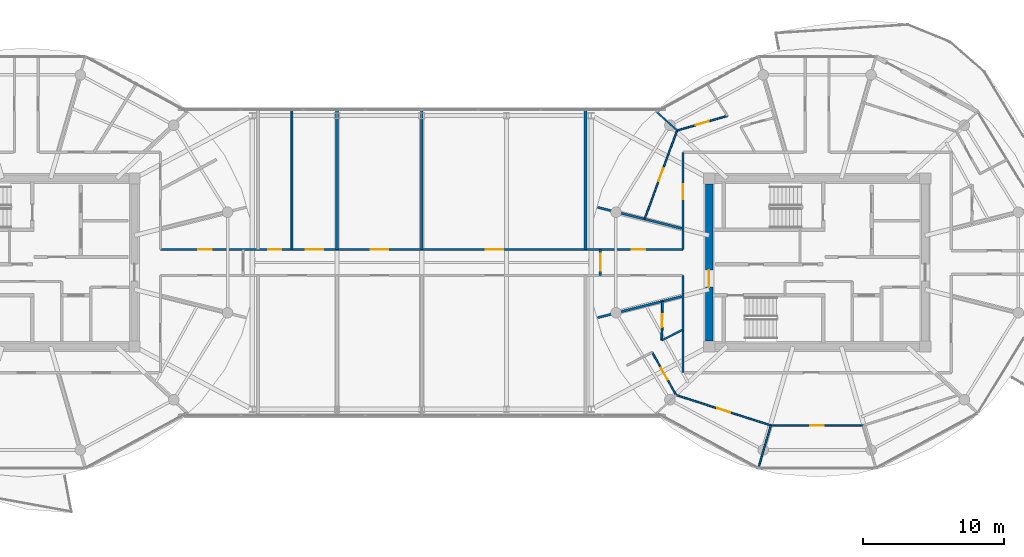
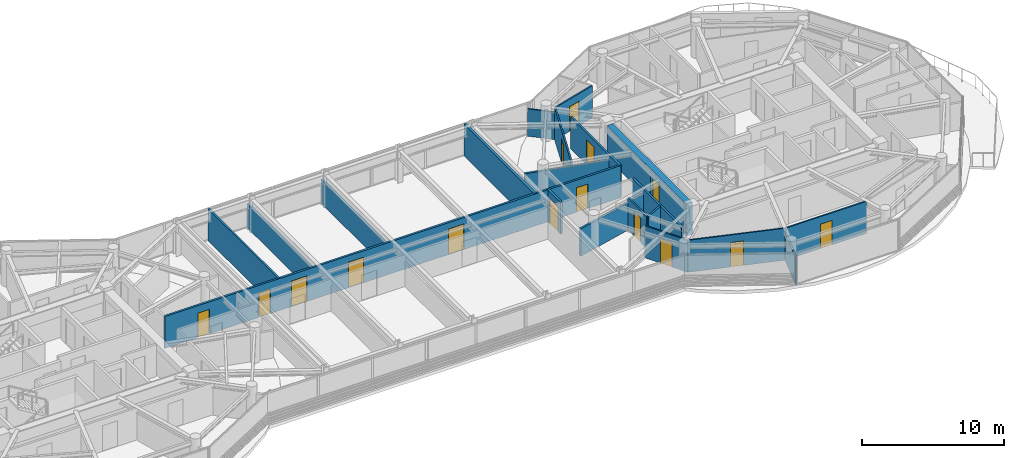
# One storey, part 16 of 23: 20 walls, 15 doors, 15 openings.
"""IFC4 building model written with IfcOpenShell, lengths in metres."""

from ifc_helpers import new_model, si_unit, direction, frame, frame_2d, origin, place, context, subcontext, project, spatial, rectangle, extrude, source, transform, mapped, material, layer, layer_set, type_object, type_shapes, element, fill, save


model = new_model("IFC4")

# Units and contexts
model_context = context("Model", 3, precision=1e-05, world=origin(), true_north=direction((0.0, 1.0)))
body_context = subcontext(model_context, "Body", "Model", "MODEL_VIEW")
ifc_project = project(units=[si_unit("LENGTHUNIT", "METRE"), si_unit("AREAUNIT", "SQUARE_METRE"), si_unit("VOLUMEUNIT", "CUBIC_METRE"), si_unit("PLANEANGLEUNIT", "RADIAN"), si_unit("MASSUNIT", "GRAM", prefix="KILO")], contexts=[model_context])

# Site, building, storey
site_placement = place(None, origin())
site = spatial("IfcSite", under=ifc_project, at=site_placement, CompositionType="ELEMENT")
building_placement = place(site_placement, origin())
building = spatial("IfcBuilding", under=site, at=building_placement, Name="Norrkilde Senior Care Towers", CompositionType="ELEMENT")
storey_placement = place(building_placement, frame((0.0, 0.0, 216.949951171875)))
storey = spatial("IfcBuildingStorey", under=building, at=storey_placement, Name="L67", CompositionType="ELEMENT", Elevation=216.949951171875)

# Wall, opening, door
ifc_material_1 = material(Name="Concrete C50/60", Category="concrete")
ifc_layer_1 = layer(ifc_material_1, 0.52001953125)
ifc_layer_set_1 = layer_set([ifc_layer_1], Name="Concrete C50/60")
wall_type_1 = type_object("IfcWallType", Name="Core Shear Wall Z4 520", PredefinedType="SHEAR", material=ifc_layer_set_1)
shared_shape_1 = source(origin(), body_context, "Body", "SweptSolid", [
    extrude(rectangle(XDim=11.10009765625, YDim=0.52001953125, at=frame_2d((5.550048828125, 0.0))), origin(), (0.0, 0.0, 1.0), 2.760009765625),
])
type_shapes(wall_type_1, [shared_shape_1])
wall_1_placement = place(storey_placement, frame((20.35009765625, -5.550048828125, 0.0), z_axis=(0.0, 0.0, 1.0), x_axis=(0.0, 1.0, 0.0)))
wall_1 = element("IfcWall", 1, at=wall_1_placement, inside=storey, type_object=wall_type_1, Name="L67 Core E West Shear Wall", PredefinedType="SHEAR", context=body_context, shape_type="MappedRepresentation", body=[
    mapped(shared_shape_1, transform((0.0, 0.0, 0.0), x_axis=(1.0, 0.0, 0.0), y_axis=(0.0, 1.0, 0.0), z_axis=(0.0, 0.0, 1.0), scale=1.0)),
])
opening_1_placement = place(wall_1_placement, frame((3.800048828125, 0.0, 0.0)))
opening_1 = element("IfcOpeningElement", 2, at=opening_1_placement, cuts=wall_1, Name="Opening D-04", PredefinedType="OPENING", context=body_context, shape_type="SweptSolid", body=[
    extrude(rectangle(XDim=1.199951171875, YDim=2.14990234375, at=frame_2d((0.60009765625, 1.074951171875))), frame((0.0, 0.27001953125, 0.0), z_axis=(0.0, -1.0, 0.0), x_axis=(1.0, 0.0, 0.0)), (0.0, 0.0, 1.0), 0.5400390625),
])
ifc_material_2 = material(Name="Galvanised Painted Steel", Category="steel")
door_type_1 = type_object("IfcDoorType", Name="Firefighting Lobby Fire Door 1200x2150", OperationType="NOTDEFINED", PredefinedType="DOOR", material=ifc_material_2)
shared_shape_2 = source(origin(), body_context, "Body", "SweptSolid", [
    extrude(rectangle(XDim=1.199951171875, YDim=2.14990234375, at=frame_2d((0.60009765625, 1.074951171875))), frame((0.0, 0.02490234375, 0.0), z_axis=(0.0, -1.0, 0.0), x_axis=(1.0, 0.0, 0.0)), (0.0, 0.0, 1.0), 0.050048828125),
])
type_shapes(door_type_1, [shared_shape_2])
door_1_placement = place(opening_1_placement, frame((1.199951171875, 0.0, 0.0), z_axis=(0.0, 0.0, 1.0), x_axis=(-1.0, 0.0, 0.0)))
door_1 = element("IfcDoor", 3, at=door_1_placement, inside=storey, type_object=door_type_1, Name="L67 Core E West Portal Door", OperationType="SINGLE_SWING_LEFT", OverallHeight=2.14990234375, OverallWidth=1.199951171875, PredefinedType="DOOR", context=body_context, shape_type="MappedRepresentation", body=[
    mapped(shared_shape_2, transform((0.0, 0.0, 0.0), x_axis=(1.0, 0.0, 0.0), y_axis=(0.0, 1.0, 0.0), z_axis=(0.0, 0.0, 1.0), scale=1.0)),
])
fill(opening_1, door_1)

# Wall
ifc_material_3 = material(Name="Gypsum Acoustic Board")
ifc_layer_2 = layer(ifc_material_3, 0.1650390625)
ifc_layer_set_2 = layer_set([ifc_layer_2], Name="Gypsum Acoustic Board")
wall_type_2 = type_object("IfcWallType", Name="Corridor Rated Partition 165", PredefinedType="PARTITIONING", material=ifc_layer_set_2)
shared_shape_3 = source(origin(), body_context, "Body", "SweptSolid", [
    extrude(rectangle(XDim=6.880126953125, YDim=0.1650390625, at=frame_2d((3.43994140625, 0.0))), origin(), (0.0, 0.0, 1.0), 2.7451171875),
])
wall_2_placement = place(storey_placement, frame((18.5, -7.800048828125, 0.0), z_axis=(0.0, 0.0, 1.0), x_axis=(0.0, 1.0, 0.0)))
element("IfcWall", 4, at=wall_2_placement, inside=storey, type_object=wall_type_2, Name="WL-INT-L67-E-CRW-W-0", PredefinedType="PARTITIONING", context=body_context, shape_type="MappedRepresentation", body=[
    mapped(shared_shape_3, transform((0.0, 0.0, 0.0), x_axis=(1.0, 0.0, 0.0), y_axis=(0.0, 1.0, 0.0), z_axis=(0.0, 0.0, 1.0), scale=1.0)),
])

# Wall, opening, door
wall_3_placement = place(storey_placement, frame((18.5, 0.919921875, 0.0), z_axis=(0.0, 0.0, 1.0), x_axis=(0.0, 1.0, 0.0)))
wall_3 = element("IfcWall", 5, at=wall_3_placement, inside=storey, type_object=wall_type_2, Name="WL-INT-L67-E-CRW-W-1", PredefinedType="PARTITIONING", context=body_context, shape_type="MappedRepresentation", body=[
    mapped(shared_shape_3, transform((0.0, 0.0, 0.0), x_axis=(1.0, 0.0, 0.0), y_axis=(0.0, 1.0, 0.0), z_axis=(0.0, 0.0, 1.0), scale=1.0)),
])
opening_2_placement = place(wall_3_placement, frame((3.564208984375, 0.0, 0.0)))
opening_2 = element("IfcOpeningElement", 6, at=opening_2_placement, cuts=wall_3, Name="Opening D-06", PredefinedType="OPENING", context=body_context, shape_type="SweptSolid", body=[
    extrude(rectangle(XDim=1.050048828125, YDim=2.14990234375, at=frame_2d((0.52490234375, 1.074951171875))), frame((0.0, 0.092529296875, 0.0), z_axis=(0.0, -1.0, 0.0), x_axis=(1.0, 0.0, 0.0)), (0.0, 0.0, 1.0), 0.18505859375),
])
ifc_material_4 = material(Name="Nordic Ash Timber", Category="wood")
door_type_2 = type_object("IfcDoorType", Name="Apartment Entrance Fire Door 1050x2150", OperationType="NOTDEFINED", PredefinedType="DOOR", material=ifc_material_4)
shared_shape_4 = source(origin(), body_context, "Body", "SweptSolid", [
    extrude(rectangle(XDim=1.050048828125, YDim=2.14990234375, at=frame_2d((0.52490234375, 1.074951171875))), frame((0.0, 0.02490234375, 0.0), z_axis=(0.0, -1.0, 0.0), x_axis=(1.0, 0.0, 0.0)), (0.0, 0.0, 1.0), 0.050048828125),
])
type_shapes(door_type_2, [shared_shape_4])
door_2_placement = place(opening_2_placement, frame((1.050048828125, 0.0, 0.0), z_axis=(0.0, 0.0, 1.0), x_axis=(-1.0, 0.0, 0.0)))
door_2 = element("IfcDoor", 7, at=door_2_placement, inside=storey, type_object=door_type_2, Name="Apartment 67B Entrance Door", OperationType="SINGLE_SWING_RIGHT", OverallHeight=2.14990234375, OverallWidth=1.050048828125, PredefinedType="DOOR", context=body_context, shape_type="MappedRepresentation", body=[
    mapped(shared_shape_4, transform((0.0, 0.0, 0.0), x_axis=(1.0, 0.0, 0.0), y_axis=(0.0, 1.0, 0.0), z_axis=(0.0, 0.0, 1.0), scale=1.0)),
])
fill(opening_2, door_2)

# Walls
shared_shape_5 = source(origin(), body_context, "Body", "SweptSolid", [
    extrude(rectangle(XDim=6.1572265625, YDim=0.1650390625, at=frame_2d((3.07861328125, 0.0))), origin(), (0.0, 0.0, 1.0), 2.344970703125),
])
for number, where, z_axis, x_axis, name in (
    (8, (18.419921875, 2.407470703125, 0.0), (0.0, 0.0, 1.0), (-0.969840867184, 0.243738984038, 0.0), "WL-INT-L67-E-DEM-05-0"),
    (9, (18.419921875, -2.407470703125, 0.0), (0.0, 0.0, 1.0), (-0.969840867184, -0.243738984038, 0.0), "WL-INT-L67-E-DEM-06-0"),
):
    element("IfcWall", number, at=place(storey_placement, frame(where, z_axis=z_axis, x_axis=x_axis)), inside=storey, type_object=wall_type_2, Name=name, PredefinedType="PARTITIONING", context=body_context, shape_type="MappedRepresentation", body=[
        mapped(shared_shape_5, transform((0.0, 0.0, 0.0), x_axis=(1.0, 0.0, 0.0), y_axis=(0.0, 1.0, 0.0), z_axis=(0.0, 0.0, 1.0), scale=1.0)),
    ])
ifc_layer_3 = layer(ifc_material_3, 0.139892578125)
ifc_layer_set_3 = layer_set([ifc_layer_3], Name="Gypsum Acoustic Board")
wall_type_3 = type_object("IfcWallType", Name="En-suite Wet Room Wall 140", PredefinedType="PARTITIONING", material=ifc_layer_set_3)
shared_shape_6 = source(origin(), body_context, "Body", "SweptSolid", [
    extrude(rectangle(XDim=1.638427734375, YDim=0.139892578125, at=frame_2d((0.8193359375, 0.0))), origin(), (0.0, 0.0, 1.0), 2.7451171875),
])
wall_4_placement = place(storey_placement, frame((18.469970703125, -4.7783203125, 0.0), z_axis=(0.0, 0.0, 1.0), x_axis=(-0.893919977945, -0.448226586707, 0.0)))
element("IfcWall", 10, at=wall_4_placement, inside=storey, type_object=wall_type_3, Name="WL-INT-L67-E-UBTS-06", PredefinedType="PARTITIONING", context=body_context, shape_type="MappedRepresentation", body=[
    mapped(shared_shape_6, transform((0.0, 0.0, 0.0), x_axis=(1.0, 0.0, 0.0), y_axis=(0.0, 1.0, 0.0), z_axis=(0.0, 0.0, 1.0), scale=1.0)),
])

# Wall, opening, door
shared_shape_7 = source(origin(), body_context, "Body", "SweptSolid", [
    extrude(rectangle(XDim=2.7587890625, YDim=0.139892578125, at=frame_2d((1.37939453125, 0.0))), origin(), (0.0, 0.0, 1.0), 2.7451171875),
])
wall_5_placement = place(storey_placement, frame((17.00537109375, -5.5126953125, 0.0), z_axis=(0.0, 0.0, 1.0), x_axis=(0.01194710728, 0.999928630767, 0.0)))
wall_5 = element("IfcWall", 11, at=wall_5_placement, inside=storey, type_object=wall_type_3, Name="WL-INT-L67-E-UBTF-06", PredefinedType="PARTITIONING", context=body_context, shape_type="MappedRepresentation", body=[
    mapped(shared_shape_7, transform((0.0, 0.0, 0.0), x_axis=(1.0, 0.0, 0.0), y_axis=(0.0, 1.0, 0.0), z_axis=(0.0, 0.0, 1.0), scale=1.0)),
])
opening_3_placement = place(wall_5_placement, frame((0.91943359375, 0.0, 0.0)))
opening_3 = element("IfcOpeningElement", 12, at=opening_3_placement, cuts=wall_5, Name="Opening D-08", PredefinedType="OPENING", context=body_context, shape_type="SweptSolid", body=[
    extrude(rectangle(XDim=0.919921875, YDim=2.10009765625, at=frame_2d((0.4599609375, 1.050048828125))), frame((0.0, 0.079833984375, 0.0), z_axis=(0.0, -1.0, 0.0), x_axis=(1.0, 0.0, 0.0)), (0.0, 0.0, 1.0), 0.159912109375),
])
door_type_3 = type_object("IfcDoorType", Name="Accessible Wet Room Door 920x2100", OperationType="NOTDEFINED", PredefinedType="DOOR", material=ifc_material_4)
shared_shape_8 = source(origin(), body_context, "Body", "SweptSolid", [
    extrude(rectangle(XDim=0.919921875, YDim=2.10009765625, at=frame_2d((0.4599609375, 1.050048828125))), frame((0.0, 0.02490234375, 0.0), z_axis=(0.0, -1.0, 0.0), x_axis=(1.0, 0.0, 0.0)), (0.0, 0.0, 1.0), 0.050048828125),
])
type_shapes(door_type_3, [shared_shape_8])
door_3_placement = place(opening_3_placement, origin())
door_3 = element("IfcDoor", 13, at=door_3_placement, inside=storey, type_object=door_type_3, Name="Apartment 67C Bathroom Door", OperationType="SINGLE_SWING_RIGHT", OverallHeight=2.10009765625, OverallWidth=0.919921875, PredefinedType="DOOR", context=body_context, shape_type="MappedRepresentation", body=[
    mapped(shared_shape_8, transform((0.0, 0.0, 0.0), x_axis=(1.0, 0.0, 0.0), y_axis=(0.0, 1.0, 0.0), z_axis=(0.0, 0.0, 1.0), scale=1.0)),
])
fill(opening_3, door_3)

shared_shape_9 = source(origin(), body_context, "Body", "SweptSolid", [
    extrude(rectangle(XDim=1.83984375, YDim=0.1650390625, at=frame_2d((0.919921875, 0.0))), origin(), (0.0, 0.0, 1.0), 2.7451171875),
])
wall_6_placement = place(storey_placement, frame((12.64990234375, -0.919921875, 0.0), z_axis=(0.0, 0.0, 1.0), x_axis=(0.0, 1.0, 0.0)))
wall_6 = element("IfcWall", 14, at=wall_6_placement, inside=storey, type_object=wall_type_2, Name="WL-INT-L67-BR-GE", PredefinedType="PARTITIONING", context=body_context, shape_type="MappedRepresentation", body=[
    mapped(shared_shape_9, transform((0.0, 0.0, 0.0), x_axis=(1.0, 0.0, 0.0), y_axis=(0.0, 1.0, 0.0), z_axis=(0.0, 0.0, 1.0), scale=1.0)),
])
opening_4_placement = place(wall_6_placement, frame((0.320068359375, 0.0, 0.0)))
opening_4 = element("IfcOpeningElement", 15, at=opening_4_placement, cuts=wall_6, Name="Opening D-04", PredefinedType="OPENING", context=body_context, shape_type="SweptSolid", body=[
    extrude(rectangle(XDim=1.199951171875, YDim=2.14990234375, at=frame_2d((0.60009765625, 1.074951171875))), frame((0.0, 0.092529296875, 0.0), z_axis=(0.0, -1.0, 0.0), x_axis=(1.0, 0.0, 0.0)), (0.0, 0.0, 1.0), 0.18505859375),
])
door_4_placement = place(opening_4_placement, origin())
door_4 = element("IfcDoor", 16, at=door_4_placement, inside=storey, type_object=door_type_1, Name="L67 Sky-Gate Bridge GE Fire Door", OperationType="SINGLE_SWING_RIGHT", OverallHeight=2.14990234375, OverallWidth=1.199951171875, PredefinedType="DOOR", context=body_context, shape_type="MappedRepresentation", body=[
    mapped(shared_shape_2, transform((0.0, 0.0, 0.0), x_axis=(1.0, 0.0, 0.0), y_axis=(0.0, 1.0, 0.0), z_axis=(0.0, 0.0, 1.0), scale=1.0)),
])
fill(opening_4, door_4)

# Wall, openings, doors
shared_shape_10 = source(origin(), body_context, "Body", "SweptSolid", [
    extrude(rectangle(XDim=37.0, YDim=0.1650390625, at=frame_2d((18.5, 0.0))), origin(), (0.0, 0.0, 1.0), 2.7451171875),
])
type_shapes(wall_type_2, [shared_shape_3, shared_shape_5, shared_shape_9, shared_shape_10])
wall_7_placement = place(storey_placement, frame((-18.5, 0.919921875, 0.0), z_axis=(0.0, 0.0, 1.0), x_axis=(1.0, 0.0, 0.0)))
wall_7 = element("IfcWall", 17, at=wall_7_placement, inside=storey, type_object=wall_type_2, Name="WL-INT-L67-BR-CN", PredefinedType="PARTITIONING", context=body_context, shape_type="MappedRepresentation", body=[
    mapped(shared_shape_10, transform((0.0, 0.0, 0.0), x_axis=(1.0, 0.0, 0.0), y_axis=(0.0, 1.0, 0.0), z_axis=(0.0, 0.0, 1.0), scale=1.0)),
])
opening_5_placement = place(wall_7_placement, frame((2.66162109375, 0.0, 0.0)))
opening_5 = element("IfcOpeningElement", 18, at=opening_5_placement, cuts=wall_7, Name="Opening D-07", PredefinedType="OPENING", context=body_context, shape_type="SweptSolid", body=[
    extrude(rectangle(XDim=0.949951171875, YDim=2.10009765625, at=frame_2d((0.47509765625, 1.050048828125))), frame((0.0, 0.092529296875, 0.0), z_axis=(0.0, -1.0, 0.0), x_axis=(1.0, 0.0, 0.0)), (0.0, 0.0, 1.0), 0.18505859375),
])
opening_6_placement = place(wall_7_placement, frame((33.38818359375, 0.0, 0.0)))
opening_6 = element("IfcOpeningElement", 19, at=opening_6_placement, cuts=wall_7, Name="Opening D-07", PredefinedType="OPENING", context=body_context, shape_type="SweptSolid", body=[
    extrude(rectangle(XDim=0.949951171875, YDim=2.10009765625, at=frame_2d((0.47509765625, 1.050048828125))), frame((0.0, 0.092529296875, 0.0), z_axis=(0.0, -1.0, 0.0), x_axis=(1.0, 0.0, 0.0)), (0.0, 0.0, 1.0), 0.18505859375),
])
opening_7_placement = place(wall_7_placement, frame((7.639892578125, 0.0, 0.0)))
opening_7 = element("IfcOpeningElement", 20, at=opening_7_placement, cuts=wall_7, Name="Opening D-08", PredefinedType="OPENING", context=body_context, shape_type="SweptSolid", body=[
    extrude(rectangle(XDim=0.919921875, YDim=2.10009765625, at=frame_2d((0.4599609375, 1.050048828125))), frame((0.0, 0.092529296875, 0.0), z_axis=(0.0, -1.0, 0.0), x_axis=(1.0, 0.0, 0.0)), (0.0, 0.0, 1.0), 0.18505859375),
])
opening_8_placement = place(wall_7_placement, frame((10.27490234375, 0.0, 0.0)))
opening_8 = element("IfcOpeningElement", 21, at=opening_8_placement, cuts=wall_7, Name="Opening D-05", PredefinedType="OPENING", context=body_context, shape_type="SweptSolid", body=[
    extrude(rectangle(XDim=1.25, YDim=2.199951171875, at=frame_2d((0.625, 1.10009765625))), frame((0.0, 0.092529296875, 0.0), z_axis=(0.0, -1.0, 0.0), x_axis=(1.0, 0.0, 0.0)), (0.0, 0.0, 1.0), 0.18505859375),
])
opening_9_placement = place(wall_7_placement, frame((14.875, 0.0, 0.0)))
opening_9 = element("IfcOpeningElement", 22, at=opening_9_placement, cuts=wall_7, Name="Opening D-05", PredefinedType="OPENING", context=body_context, shape_type="SweptSolid", body=[
    extrude(rectangle(XDim=1.25, YDim=2.199951171875, at=frame_2d((0.625, 1.10009765625))), frame((0.0, 0.092529296875, 0.0), z_axis=(0.0, -1.0, 0.0), x_axis=(1.0, 0.0, 0.0)), (0.0, 0.0, 1.0), 0.18505859375),
])
opening_10_placement = place(wall_7_placement, frame((23.030029296875, 0.0, 0.0)))
opening_10 = element("IfcOpeningElement", 23, at=opening_10_placement, cuts=wall_7, Name="Opening D-05", PredefinedType="OPENING", context=body_context, shape_type="SweptSolid", body=[
    extrude(rectangle(XDim=1.25, YDim=2.199951171875, at=frame_2d((0.625, 1.10009765625))), frame((0.0, 0.092529296875, 0.0), z_axis=(0.0, -1.0, 0.0), x_axis=(1.0, 0.0, 0.0)), (0.0, 0.0, 1.0), 0.18505859375),
])
door_type_4 = type_object("IfcDoorType", Name="Care Bedroom Bariatric Door 1250x2200", OperationType="NOTDEFINED", PredefinedType="DOOR", material=ifc_material_4)
shared_shape_11 = source(origin(), body_context, "Body", "SweptSolid", [
    extrude(rectangle(XDim=1.25, YDim=2.199951171875, at=frame_2d((0.625, 1.10009765625))), frame((0.0, 0.02490234375, 0.0), z_axis=(0.0, -1.0, 0.0), x_axis=(1.0, 0.0, 0.0)), (0.0, 0.0, 1.0), 0.050048828125),
])
type_shapes(door_type_4, [shared_shape_11])
door_5_placement = place(opening_8_placement, frame((1.25, 0.0, 0.0), z_axis=(0.0, 0.0, 1.0), x_axis=(-1.0, 0.0, 0.0)))
door_5 = element("IfcDoor", 24, at=door_5_placement, inside=storey, type_object=door_type_4, Name="L67 Bridge North Clinic 1 Door", OperationType="SINGLE_SWING_RIGHT", OverallHeight=2.199951171875, OverallWidth=1.25, PredefinedType="DOOR", context=body_context, shape_type="MappedRepresentation", body=[
    mapped(shared_shape_11, transform((0.0, 0.0, 0.0), x_axis=(1.0, 0.0, 0.0), y_axis=(0.0, 1.0, 0.0), z_axis=(0.0, 0.0, 1.0), scale=1.0)),
])
fill(opening_8, door_5)
door_6_placement = place(opening_9_placement, frame((1.25, 0.0, 0.0), z_axis=(0.0, 0.0, 1.0), x_axis=(-1.0, 0.0, 0.0)))
door_6 = element("IfcDoor", 25, at=door_6_placement, inside=storey, type_object=door_type_4, Name="L67 Bridge North Room 2 Door", OperationType="SINGLE_SWING_LEFT", OverallHeight=2.199951171875, OverallWidth=1.25, PredefinedType="DOOR", context=body_context, shape_type="MappedRepresentation", body=[
    mapped(shared_shape_11, transform((0.0, 0.0, 0.0), x_axis=(1.0, 0.0, 0.0), y_axis=(0.0, 1.0, 0.0), z_axis=(0.0, 0.0, 1.0), scale=1.0)),
])
fill(opening_9, door_6)
door_7_placement = place(opening_10_placement, frame((1.25, 0.0, 0.0), z_axis=(0.0, 0.0, 1.0), x_axis=(-1.0, 0.0, 0.0)))
door_7 = element("IfcDoor", 26, at=door_7_placement, inside=storey, type_object=door_type_4, Name="L67 Bridge North Room 3 Door", OperationType="SINGLE_SWING_RIGHT", OverallHeight=2.199951171875, OverallWidth=1.25, PredefinedType="DOOR", context=body_context, shape_type="MappedRepresentation", body=[
    mapped(shared_shape_11, transform((0.0, 0.0, 0.0), x_axis=(1.0, 0.0, 0.0), y_axis=(0.0, 1.0, 0.0), z_axis=(0.0, 0.0, 1.0), scale=1.0)),
])
fill(opening_10, door_7)
door_8_placement = place(opening_7_placement, frame((0.919921875, 0.0, 0.0), z_axis=(0.0, 0.0, 1.0), x_axis=(-1.0, 0.0, 0.0)))
door_8 = element("IfcDoor", 27, at=door_8_placement, inside=storey, type_object=door_type_3, Name="L67 Bridge Accessible WC Door", OperationType="SINGLE_SWING_LEFT", OverallHeight=2.10009765625, OverallWidth=0.919921875, PredefinedType="DOOR", context=body_context, shape_type="MappedRepresentation", body=[
    mapped(shared_shape_8, transform((0.0, 0.0, 0.0), x_axis=(1.0, 0.0, 0.0), y_axis=(0.0, 1.0, 0.0), z_axis=(0.0, 0.0, 1.0), scale=1.0)),
])
fill(opening_7, door_8)
door_type_5 = type_object("IfcDoorType", Name="Internal Suite Bedroom Door 950x2100", OperationType="NOTDEFINED", PredefinedType="DOOR", material=ifc_material_4)
shared_shape_12 = source(origin(), body_context, "Body", "SweptSolid", [
    extrude(rectangle(XDim=0.949951171875, YDim=2.10009765625, at=frame_2d((0.47509765625, 1.050048828125))), frame((0.0, 0.02490234375, 0.0), z_axis=(0.0, -1.0, 0.0), x_axis=(1.0, 0.0, 0.0)), (0.0, 0.0, 1.0), 0.050048828125),
])
type_shapes(door_type_5, [shared_shape_12])
door_9_placement = place(opening_5_placement, frame((0.949951171875, 0.0, 0.0), z_axis=(0.0, 0.0, 1.0), x_axis=(-1.0, 0.0, 0.0)))
door_9 = element("IfcDoor", 28, at=door_9_placement, inside=storey, type_object=door_type_5, Name="L67 Sun Reading Lounge 6 Door", OperationType="SINGLE_SWING_LEFT", OverallHeight=2.10009765625, OverallWidth=0.949951171875, PredefinedType="DOOR", context=body_context, shape_type="MappedRepresentation", body=[
    mapped(shared_shape_12, transform((0.0, 0.0, 0.0), x_axis=(1.0, 0.0, 0.0), y_axis=(0.0, 1.0, 0.0), z_axis=(0.0, 0.0, 1.0), scale=1.0)),
])
fill(opening_5, door_9)
door_10_placement = place(opening_6_placement, frame((0.949951171875, 0.0, 0.0), z_axis=(0.0, 0.0, 1.0), x_axis=(-1.0, 0.0, 0.0)))
door_10 = element("IfcDoor", 29, at=door_10_placement, inside=storey, type_object=door_type_5, Name="L67 Sun Reading Lounge 2 Door", OperationType="SINGLE_SWING_LEFT", OverallHeight=2.10009765625, OverallWidth=0.949951171875, PredefinedType="DOOR", context=body_context, shape_type="MappedRepresentation", body=[
    mapped(shared_shape_12, transform((0.0, 0.0, 0.0), x_axis=(1.0, 0.0, 0.0), y_axis=(0.0, 1.0, 0.0), z_axis=(0.0, 0.0, 1.0), scale=1.0)),
])
fill(opening_6, door_10)

# Walls
ifc_layer_4 = layer(ifc_material_3, 0.18994140625)
ifc_layer_set_4 = layer_set([ifc_layer_4], Name="Gypsum Acoustic Board")
wall_type_4 = type_object("IfcWallType", Name="Unit Demising Acoustic Wall 190", PredefinedType="PARTITIONING", material=ifc_layer_set_4)
shared_shape_13 = source(origin(), body_context, "Body", "SweptSolid", [
    extrude(rectangle(XDim=9.880126953125, YDim=0.18994140625, at=frame_2d((4.93994140625, 0.0))), origin(), (0.0, 0.0, 1.0), 2.7451171875),
])
wall_8_placement = place(storey_placement, frame((11.60009765625, 0.919921875, 0.0), z_axis=(0.0, 0.0, 1.0), x_axis=(0.0, 1.0, 0.0)))
element("IfcWall", 30, at=wall_8_placement, inside=storey, type_object=wall_type_4, Name="WL-INT-L67-BR-EN+12", PredefinedType="PARTITIONING", context=body_context, shape_type="MappedRepresentation", body=[
    mapped(shared_shape_13, transform((0.0, 0.0, 0.0), x_axis=(1.0, 0.0, 0.0), y_axis=(0.0, 1.0, 0.0), z_axis=(0.0, 0.0, 1.0), scale=1.0)),
])
shared_shape_14 = source(origin(), body_context, "Body", "SweptSolid", [
    extrude(rectangle(XDim=9.880126953125, YDim=0.18994140625, at=frame_2d((4.93994140625, 0.0))), origin(), (0.0, 0.0, 1.0), 2.045166015625),
])
type_shapes(wall_type_4, [shared_shape_13, shared_shape_14])
for number, where, z_axis, x_axis, name in (
    (31, (-6.0, 0.919921875, 0.0), (0.0, 0.0, 1.0), (0.0, 1.0, 0.0), "WL-INT-L67-BR-VN1"),
    (32, (0.0, 0.919921875, 0.0), (0.0, 0.0, 1.0), (0.0, 1.0, 0.0), "WL-INT-L67-BR-VN2"),
):
    element("IfcWall", number, at=place(storey_placement, frame(where, z_axis=z_axis, x_axis=x_axis)), inside=storey, type_object=wall_type_4, Name=name, PredefinedType="PARTITIONING", context=body_context, shape_type="MappedRepresentation", body=[
        mapped(shared_shape_14, transform((0.0, 0.0, 0.0), x_axis=(1.0, 0.0, 0.0), y_axis=(0.0, 1.0, 0.0), z_axis=(0.0, 0.0, 1.0), scale=1.0)),
    ])
shared_shape_15 = source(origin(), body_context, "Body", "SweptSolid", [
    extrude(rectangle(XDim=9.880126953125, YDim=0.139892578125, at=frame_2d((4.93994140625, 0.0))), origin(), (0.0, 0.0, 1.0), 2.7451171875),
])
type_shapes(wall_type_3, [shared_shape_6, shared_shape_7, shared_shape_15])
wall_9_placement = place(storey_placement, frame((-9.199951171875, 0.919921875, 0.0), z_axis=(0.0, 0.0, 1.0), x_axis=(0.0, 1.0, 0.0)))
element("IfcWall", 33, at=wall_9_placement, inside=storey, type_object=wall_type_3, Name="WL-INT-L67-BR-NWCV", PredefinedType="PARTITIONING", context=body_context, shape_type="MappedRepresentation", body=[
    mapped(shared_shape_15, transform((0.0, 0.0, 0.0), x_axis=(1.0, 0.0, 0.0), y_axis=(0.0, 1.0, 0.0), z_axis=(0.0, 0.0, 1.0), scale=1.0)),
])

# Wall, opening, door
ifc_layer_5 = layer(ifc_material_3, 0.114990234375)
ifc_layer_set_5 = layer_set([ifc_layer_5], Name="Gypsum Acoustic Board")
wall_type_5 = type_object("IfcWallType", Name="Internal Room Partition 115", PredefinedType="PARTITIONING", material=ifc_layer_set_5)
shared_shape_16 = source(origin(), body_context, "Body", "SweptSolid", [
    extrude(rectangle(XDim=6.68994140625, YDim=0.114990234375, at=frame_2d((3.344970703125, 0.0))), origin(), (0.0, 0.0, 1.0), 2.7451171875),
])
wall_10_placement = place(storey_placement, frame((18.082763671875, 9.351806640625, 0.0), z_axis=(0.0, 0.0, 1.0), x_axis=(-0.343693784919, -0.939081776102, 0.0)))
wall_10 = element("IfcWall", 34, at=wall_10_placement, inside=storey, type_object=wall_type_5, Name="WL-INT-L67-E-UBC-03-1", PredefinedType="PARTITIONING", context=body_context, shape_type="MappedRepresentation", body=[
    mapped(shared_shape_16, transform((0.0, 0.0, 0.0), x_axis=(1.0, 0.0, 0.0), y_axis=(0.0, 1.0, 0.0), z_axis=(0.0, 0.0, 1.0), scale=1.0)),
])
opening_11_placement = place(wall_10_placement, frame((2.8701171875, 0.0, 0.0)))
opening_11 = element("IfcOpeningElement", 35, at=opening_11_placement, cuts=wall_10, Name="Opening D-07", PredefinedType="OPENING", context=body_context, shape_type="SweptSolid", body=[
    extrude(rectangle(XDim=0.949951171875, YDim=2.10009765625, at=frame_2d((0.47509765625, 1.050048828125))), frame((0.0, 0.0673828125, 0.0), z_axis=(0.0, -1.0, 0.0), x_axis=(1.0, 0.0, 0.0)), (0.0, 0.0, 1.0), 0.135009765625),
])
door_11_placement = place(opening_11_placement, origin())
door_11 = element("IfcDoor", 36, at=door_11_placement, inside=storey, type_object=door_type_5, Name="Apartment 67B Bedroom 1 Door", OperationType="SINGLE_SWING_LEFT", OverallHeight=2.10009765625, OverallWidth=0.949951171875, PredefinedType="DOOR", context=body_context, shape_type="MappedRepresentation", body=[
    mapped(shared_shape_12, transform((0.0, 0.0, 0.0), x_axis=(1.0, 0.0, 0.0), y_axis=(0.0, 1.0, 0.0), z_axis=(0.0, 0.0, 1.0), scale=1.0)),
])
fill(opening_11, door_11)

# Wall
shared_shape_17 = source(origin(), body_context, "Body", "SweptSolid", [
    extrude(rectangle(XDim=1.977294921875, YDim=0.114990234375, at=frame_2d((0.98876953125, 0.0))), origin(), (0.0, 0.0, 1.0), 2.344970703125),
])
wall_11_placement = place(storey_placement, frame((18.082763671875, 9.351806640625, 0.0), z_axis=(0.0, 0.0, 1.0), x_axis=(-0.742064998629, 0.670327933037, 0.0)))
element("IfcWall", 37, at=wall_11_placement, inside=storey, type_object=wall_type_5, Name="WL-INT-L67-E-UBR-03-1", PredefinedType="PARTITIONING", context=body_context, shape_type="MappedRepresentation", body=[
    mapped(shared_shape_17, transform((0.0, 0.0, 0.0), x_axis=(1.0, 0.0, 0.0), y_axis=(0.0, 1.0, 0.0), z_axis=(0.0, 0.0, 1.0), scale=1.0)),
])

# Wall, opening, door
shared_shape_18 = source(origin(), body_context, "Body", "SweptSolid", [
    extrude(rectangle(XDim=3.70166015625, YDim=0.114990234375, at=frame_2d((1.850830078125, 0.0))), origin(), (0.0, 0.0, 1.0), 2.7451171875),
])
wall_12_placement = place(storey_placement, frame((21.64453125, 10.380126953125, 0.0), z_axis=(0.0, 0.0, 1.0), x_axis=(-0.960044309887, -0.279848035645, 0.0)))
wall_12 = element("IfcWall", 38, at=wall_12_placement, inside=storey, type_object=wall_type_5, Name="WL-INT-L67-E-UKTF-03", PredefinedType="PARTITIONING", context=body_context, shape_type="MappedRepresentation", body=[
    mapped(shared_shape_18, transform((0.0, 0.0, 0.0), x_axis=(1.0, 0.0, 0.0), y_axis=(0.0, 1.0, 0.0), z_axis=(0.0, 0.0, 1.0), scale=1.0)),
])
opening_12_placement = place(wall_12_placement, frame((1.3759765625, 0.0, 0.0)))
opening_12 = element("IfcOpeningElement", 39, at=opening_12_placement, cuts=wall_12, Name="Opening D-07", PredefinedType="OPENING", context=body_context, shape_type="SweptSolid", body=[
    extrude(rectangle(XDim=0.949951171875, YDim=2.10009765625, at=frame_2d((0.47509765625, 1.050048828125))), frame((0.0, 0.0673828125, 0.0), z_axis=(0.0, -1.0, 0.0), x_axis=(1.0, 0.0, 0.0)), (0.0, 0.0, 1.0), 0.135009765625),
])
door_12_placement = place(opening_12_placement, frame((0.949951171875, 0.0, 0.0), z_axis=(0.0, 0.0, 1.0), x_axis=(-1.0, 0.0, 0.0)))
door_12 = element("IfcDoor", 40, at=door_12_placement, inside=storey, type_object=door_type_5, Name="Apartment 67B Kitchen Door", OperationType="SINGLE_SWING_RIGHT", OverallHeight=2.10009765625, OverallWidth=0.949951171875, PredefinedType="DOOR", context=body_context, shape_type="MappedRepresentation", body=[
    mapped(shared_shape_12, transform((0.0, 0.0, 0.0), x_axis=(1.0, 0.0, 0.0), y_axis=(0.0, 1.0, 0.0), z_axis=(0.0, 0.0, 1.0), scale=1.0)),
])
fill(opening_12, door_12)

shared_shape_19 = source(origin(), body_context, "Body", "SweptSolid", [
    extrude(rectangle(XDim=7.024169921875, YDim=0.114990234375, at=frame_2d((3.51220703125, 0.0))), origin(), (0.0, 0.0, 1.0), 2.7451171875),
])
wall_13_placement = place(storey_placement, frame((18.0302734375, -9.4013671875, 0.0), z_axis=(0.0, 0.0, 1.0), x_axis=(0.952454006655, -0.304682400552, 0.0)))
wall_13 = element("IfcWall", 41, at=wall_13_placement, inside=storey, type_object=wall_type_5, Name="WL-INT-L67-E-UBC-06-1", PredefinedType="PARTITIONING", context=body_context, shape_type="MappedRepresentation", body=[
    mapped(shared_shape_19, transform((0.0, 0.0, 0.0), x_axis=(1.0, 0.0, 0.0), y_axis=(0.0, 1.0, 0.0), z_axis=(0.0, 0.0, 1.0), scale=1.0)),
])
opening_13_placement = place(wall_13_placement, frame((3.037109375, 0.0, 0.0)))
opening_13 = element("IfcOpeningElement", 42, at=opening_13_placement, cuts=wall_13, Name="Opening D-07", PredefinedType="OPENING", context=body_context, shape_type="SweptSolid", body=[
    extrude(rectangle(XDim=0.949951171875, YDim=2.10009765625, at=frame_2d((0.47509765625, 1.050048828125))), frame((0.0, 0.0673828125, 0.0), z_axis=(0.0, -1.0, 0.0), x_axis=(1.0, 0.0, 0.0)), (0.0, 0.0, 1.0), 0.135009765625),
])
door_13_placement = place(opening_13_placement, origin())
door_13 = element("IfcDoor", 43, at=door_13_placement, inside=storey, type_object=door_type_5, Name="Apartment 67C Bedroom 1 Door", OperationType="SINGLE_SWING_RIGHT", OverallHeight=2.10009765625, OverallWidth=0.949951171875, PredefinedType="DOOR", context=body_context, shape_type="MappedRepresentation", body=[
    mapped(shared_shape_12, transform((0.0, 0.0, 0.0), x_axis=(1.0, 0.0, 0.0), y_axis=(0.0, 1.0, 0.0), z_axis=(0.0, 0.0, 1.0), scale=1.0)),
])
fill(opening_13, door_13)

shared_shape_20 = source(origin(), body_context, "Body", "SweptSolid", [
    extrude(rectangle(XDim=6.5576171875, YDim=0.114990234375, at=frame_2d((3.27880859375, 0.0))), origin(), (0.0, 0.0, 1.0), 2.7451171875),
])
wall_14_placement = place(storey_placement, frame((24.72119140625, -11.538818359375, 0.0), z_axis=(0.0, 0.0, 1.0), x_axis=(1.0, 0.0, 0.0)))
wall_14 = element("IfcWall", 44, at=wall_14_placement, inside=storey, type_object=wall_type_5, Name="WL-INT-L67-E-UBC-06-2", PredefinedType="PARTITIONING", context=body_context, shape_type="MappedRepresentation", body=[
    mapped(shared_shape_20, transform((0.0, 0.0, 0.0), x_axis=(1.0, 0.0, 0.0), y_axis=(0.0, 1.0, 0.0), z_axis=(0.0, 0.0, 1.0), scale=1.0)),
])
opening_14_placement = place(wall_14_placement, frame((2.8037109375, 0.0, 0.0)))
opening_14 = element("IfcOpeningElement", 45, at=opening_14_placement, cuts=wall_14, Name="Opening D-07", PredefinedType="OPENING", context=body_context, shape_type="SweptSolid", body=[
    extrude(rectangle(XDim=0.949951171875, YDim=2.10009765625, at=frame_2d((0.47509765625, 1.050048828125))), frame((0.0, 0.0673828125, 0.0), z_axis=(0.0, -1.0, 0.0), x_axis=(1.0, 0.0, 0.0)), (0.0, 0.0, 1.0), 0.135009765625),
])
door_14_placement = place(opening_14_placement, frame((0.949951171875, 0.0, 0.0), z_axis=(0.0, 0.0, 1.0), x_axis=(-1.0, 0.0, 0.0)))
door_14 = element("IfcDoor", 46, at=door_14_placement, inside=storey, type_object=door_type_5, Name="Apartment 67C Bedroom 2 Door", OperationType="SINGLE_SWING_LEFT", OverallHeight=2.10009765625, OverallWidth=0.949951171875, PredefinedType="DOOR", context=body_context, shape_type="MappedRepresentation", body=[
    mapped(shared_shape_12, transform((0.0, 0.0, 0.0), x_axis=(1.0, 0.0, 0.0), y_axis=(0.0, 1.0, 0.0), z_axis=(0.0, 0.0, 1.0), scale=1.0)),
])
fill(opening_14, door_14)

# Wall
shared_shape_21 = source(origin(), body_context, "Body", "SweptSolid", [
    extrude(rectangle(XDim=3.17333984375, YDim=0.114990234375, at=frame_2d((1.586669921875, 0.0))), origin(), (0.0, 0.0, 1.0), 2.344970703125),
])
wall_15_placement = place(storey_placement, frame((24.72119140625, -11.538818359375, 0.0), z_axis=(0.0, 0.0, 1.0), x_axis=(-0.279878875918, -0.960035319566, 0.0)))
element("IfcWall", 47, at=wall_15_placement, inside=storey, type_object=wall_type_5, Name="WL-INT-L67-E-UBR-06-2", PredefinedType="PARTITIONING", context=body_context, shape_type="MappedRepresentation", body=[
    mapped(shared_shape_21, transform((0.0, 0.0, 0.0), x_axis=(1.0, 0.0, 0.0), y_axis=(0.0, 1.0, 0.0), z_axis=(0.0, 0.0, 1.0), scale=1.0)),
])

# Wall, opening, door
shared_shape_22 = source(origin(), body_context, "Body", "SweptSolid", [
    extrude(rectangle(XDim=3.49267578125, YDim=0.114990234375, at=frame_2d((1.746337890625, 0.0))), origin(), (0.0, 0.0, 1.0), 2.7451171875),
])
type_shapes(wall_type_5, [shared_shape_16, shared_shape_17, shared_shape_18, shared_shape_19, shared_shape_20, shared_shape_21, shared_shape_22])
wall_16_placement = place(storey_placement, frame((16.318115234375, -6.360107421875, 0.0), z_axis=(0.0, 0.0, 1.0), x_axis=(0.487896553961, -0.872901456427, 0.0)))
wall_16 = element("IfcWall", 48, at=wall_16_placement, inside=storey, type_object=wall_type_5, Name="WL-INT-L67-E-UKTF-06", PredefinedType="PARTITIONING", context=body_context, shape_type="MappedRepresentation", body=[
    mapped(shared_shape_22, transform((0.0, 0.0, 0.0), x_axis=(1.0, 0.0, 0.0), y_axis=(0.0, 1.0, 0.0), z_axis=(0.0, 0.0, 1.0), scale=1.0)),
])
opening_15_placement = place(wall_16_placement, frame((1.271484375, 0.0, 0.0)))
opening_15 = element("IfcOpeningElement", 49, at=opening_15_placement, cuts=wall_16, Name="Opening D-07", PredefinedType="OPENING", context=body_context, shape_type="SweptSolid", body=[
    extrude(rectangle(XDim=0.949951171875, YDim=2.10009765625, at=frame_2d((0.47509765625, 1.050048828125))), frame((0.0, 0.0673828125, 0.0), z_axis=(0.0, -1.0, 0.0), x_axis=(1.0, 0.0, 0.0)), (0.0, 0.0, 1.0), 0.135009765625),
])
door_15_placement = place(opening_15_placement, frame((0.949951171875, 0.0, 0.0), z_axis=(0.0, 0.0, 1.0), x_axis=(-1.0, 0.0, 0.0)))
door_15 = element("IfcDoor", 50, at=door_15_placement, inside=storey, type_object=door_type_5, Name="Apartment 67C Kitchen Door", OperationType="SINGLE_SWING_LEFT", OverallHeight=2.10009765625, OverallWidth=0.949951171875, PredefinedType="DOOR", context=body_context, shape_type="MappedRepresentation", body=[
    mapped(shared_shape_12, transform((0.0, 0.0, 0.0), x_axis=(1.0, 0.0, 0.0), y_axis=(0.0, 1.0, 0.0), z_axis=(0.0, 0.0, 1.0), scale=1.0)),
])
fill(opening_15, door_15)

save(model, "model.ifc")
